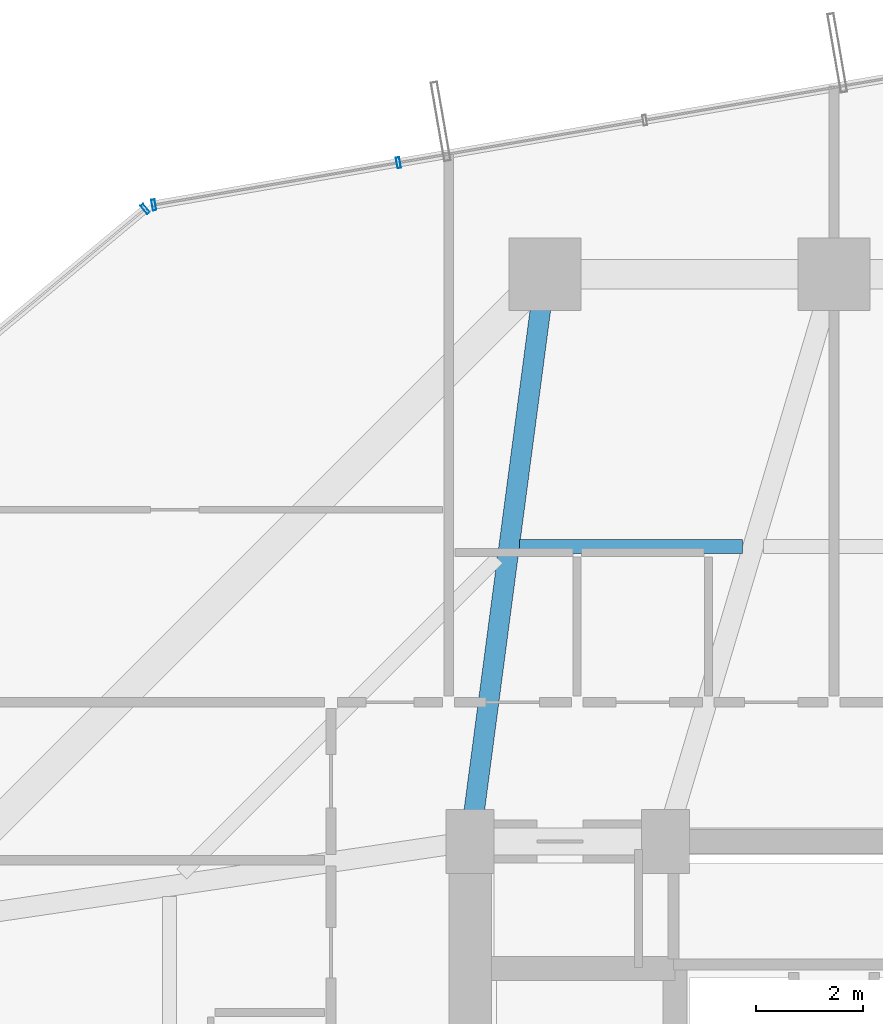
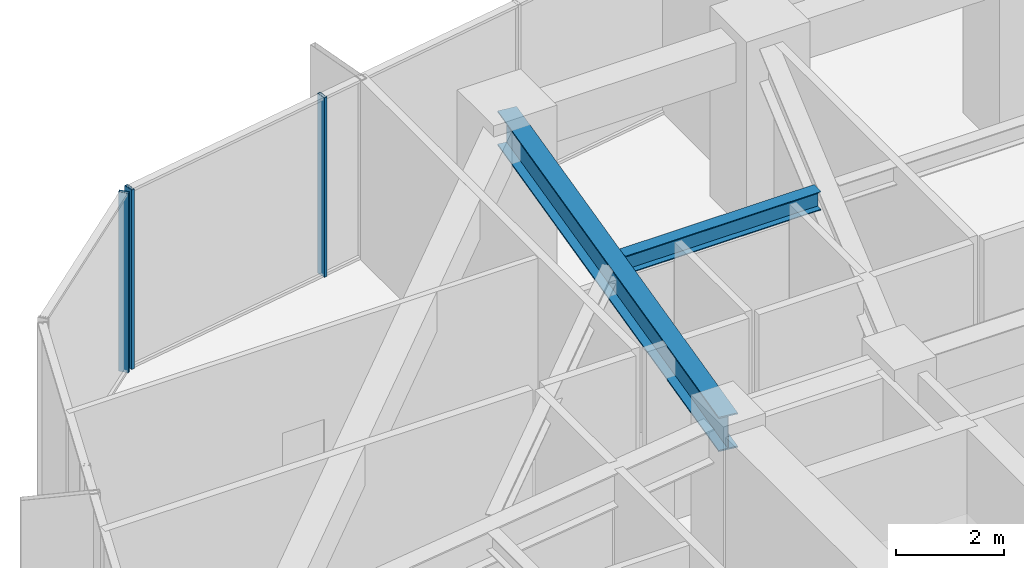
# One storey, part 22 of 35: 3 members, 2 beams, 2 elements without a shape of their own.
"""IFC4 building model written with IfcOpenShell, lengths in metres."""

from ifc_helpers import new_model, si_unit, direction, frame, origin, origin_2d, place, context, subcontext, project, spatial, hollow_rectangle, i_section, extrude, source, transform, mapped, material, layer, layer_set, material_profile, profile_set, type_object, element, aggregate, save


model = new_model("IFC4")

# Units and contexts
model_context = context("Model", 3, precision=1e-05, world=origin(), true_north=direction((0.0, 1.0)))
body_context = subcontext(model_context, "Body", "Model", "MODEL_VIEW")
ifc_project = project(units=[si_unit("LENGTHUNIT", "METRE"), si_unit("AREAUNIT", "SQUARE_METRE"), si_unit("VOLUMEUNIT", "CUBIC_METRE"), si_unit("PLANEANGLEUNIT", "RADIAN"), si_unit("MASSUNIT", "GRAM", prefix="KILO")], contexts=[model_context])

# Site, building, storey
site_placement = place(None, origin())
site = spatial("IfcSite", under=ifc_project, at=site_placement, CompositionType="ELEMENT")
building_placement = place(site_placement, origin())
building = spatial("IfcBuilding", under=site, at=building_placement, Name="Veraguas Prism Commons", CompositionType="ELEMENT")
storey_placement = place(building_placement, frame((0.0, 0.0, 56.550048828125)))
storey = spatial("IfcBuildingStorey", under=building, at=storey_placement, Name="L15", CompositionType="ELEMENT", Elevation=56.550048828125)

# Beams
ifc_material_1 = material(Name="Steel ASTM A992 Grade 50", Category="steel")
ifc_material_profile_1 = material_profile(ifc_material_1, i_section(OverallWidth=0.382080078125, OverallDepth=0.779052734375, WebThickness=0.01806640625, FlangeThickness=0.030029296875, at=origin_2d()), Name="W760X284")
ifc_profile_set_1 = profile_set([ifc_material_profile_1], Name="Steel ASTM A992 Grade 50")
beam_type_1 = type_object("IfcBeamType", Name="Assembly Primary Girder W760x284", PredefinedType="BEAM", material=ifc_profile_set_1)
beam_1_placement = place(storey_placement, frame((18.60009765625, 41.60009765625, 3.660400390625), z_axis=(-0.130950648891, -0.991388888154, 0.0), x_axis=(0.991388888154, -0.130950648891, 0.0)))
element("IfcBeam", 1, at=beam_1_placement, inside=storey, type_object=beam_type_1, Name="Radial Floor Girder L15-RD06", PredefinedType="BEAM", context=body_context, shape_type="SweptSolid", body=[
    extrude(i_section(OverallWidth=0.382080078125, OverallDepth=0.779052734375, WebThickness=0.01806640625, FlangeThickness=0.030029296875, at=origin_2d()), origin(), (0.0, 0.0, 1.0), 10.692138671875),
])
ifc_material_profile_2 = material_profile(ifc_material_1, i_section(OverallWidth=0.260986328125, OverallDepth=0.419921875, WebThickness=0.01171875, FlangeThickness=0.019287109375, at=origin_2d()), Name="W410X114")
ifc_profile_set_2 = profile_set([ifc_material_profile_2], Name="Steel ASTM A992 Grade 50")
beam_type_2 = type_object("IfcBeamType", Name="Lower Floor Joist W410x114", PredefinedType="JOIST", material=ifc_profile_set_2)
beam_2_placement = place(storey_placement, frame((22.290771484375, 36.511962890625, 3.83984375), z_axis=(-1.0, 0.0, 0.0), x_axis=(0.0, -1.0, 0.0)))
element("IfcBeam", 2, at=beam_2_placement, inside=storey, type_object=beam_type_2, Name="Composite Floor Joist L15-JS05", PredefinedType="JOIST", context=body_context, shape_type="SweptSolid", body=[
    extrude(i_section(OverallWidth=0.260986328125, OverallDepth=0.419921875, WebThickness=0.01171875, FlangeThickness=0.019287109375, at=origin_2d()), origin(), (0.0, 0.0, 1.0), 4.172119140625),
])

# Curtain wall, members
ifc_material_2 = material(Name="Anodised aluminium EN AW-6063 T6", Category="aluminium")
ifc_layer = layer(ifc_material_2, 0.199951171875, Name="Sky Lobby and Pool Acoustic Curtain Wall", Category="aluminium")
ifc_layer_set = layer_set([ifc_layer], Name="Anodised aluminium EN AW-6063 T6")
curtain_wall_type = type_object("IfcCurtainWallType", Name="Sky Lobby and Pool Acoustic Curtain Wall", PredefinedType="NOTDEFINED", material=ifc_layer_set)
curtain_wall_1_placement = place(storey_placement, origin())
curtain_wall_1 = element("IfcCurtainWall", 3, at=curtain_wall_1_placement, inside=storey, type_object=curtain_wall_type, Name="Tower Facade Curtain Wall L15-F2", PredefinedType="NOTDEFINED")
ifc_material_profile_3 = material_profile(ifc_material_2, hollow_rectangle(XDim=0.06494140625, YDim=0.199951171875, WallThickness=0.00390625, at=origin_2d()), Name="AL65X200X4")
ifc_profile_set_3 = profile_set([ifc_material_profile_3], Name="Anodised aluminium EN AW-6063 T6")
member_type = type_object("IfcMemberType", Name="Curtain Wall Mullion Heavy AL 65x200x4", PredefinedType="MULLION", material=ifc_profile_set_3)
shared_shape = source(origin(), body_context, "Body", "SweptSolid", [
    extrude(hollow_rectangle(XDim=0.06494140625, YDim=0.199951171875, WallThickness=0.00390625, at=origin_2d()), origin(), (0.0, 0.0, 1.0), 4.050048828125),
])
member_1_placement = place(storey_placement, frame((15.859375, 43.686279296875, 0.0), z_axis=(0.0, 0.0, 1.0), x_axis=(-0.985407898483, -0.170209499166, 0.0)))
member_1 = element("IfcMember", 4, at=member_1_placement, type_object=member_type, Name="CW-SKY Mullion 4", PredefinedType="MULLION", context=body_context, shape_type="MappedRepresentation", body=[
    mapped(shared_shape, transform((0.0, 0.0, 0.0), scale=1.0)),
])
member_2_placement = place(storey_placement, frame((11.28857421875, 42.896728515625, 0.0), z_axis=(0.0, 0.0, 1.0), x_axis=(-0.985407898483, -0.170209499166, 0.0)))
member_2 = element("IfcMember", 5, at=member_2_placement, type_object=member_type, Name="CW-SKY Mullion 5", PredefinedType="MULLION", context=body_context, shape_type="MappedRepresentation", body=[
    mapped(shared_shape, transform((0.0, 0.0, 0.0), scale=1.0)),
])
aggregate(curtain_wall_1, [member_1, member_2])

# Curtain wall, member
curtain_wall_2_placement = place(storey_placement, origin())
curtain_wall_2 = element("IfcCurtainWall", 6, at=curtain_wall_2_placement, inside=storey, type_object=curtain_wall_type, Name="Chamfer Curtain Wall L15-C3", PredefinedType="NOTDEFINED")
member_3_placement = place(storey_placement, frame((11.12646484375, 42.82177734375, 0.0), z_axis=(0.0, 0.0, 1.0), x_axis=(-0.768273468679, -0.640121767575, 0.0)))
member_3 = element("IfcMember", 7, at=member_3_placement, type_object=member_type, Name="CW-SKY Mullion 1", PredefinedType="MULLION", context=body_context, shape_type="MappedRepresentation", body=[
    mapped(shared_shape, transform((0.0, 0.0, 0.0), scale=1.0)),
])
aggregate(curtain_wall_2, [member_3])

save(model, "model.ifc")
